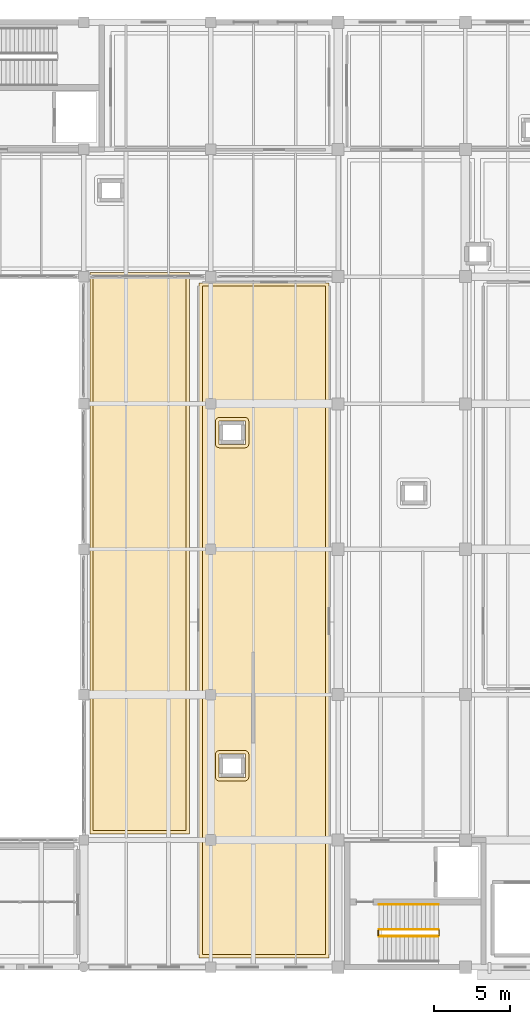
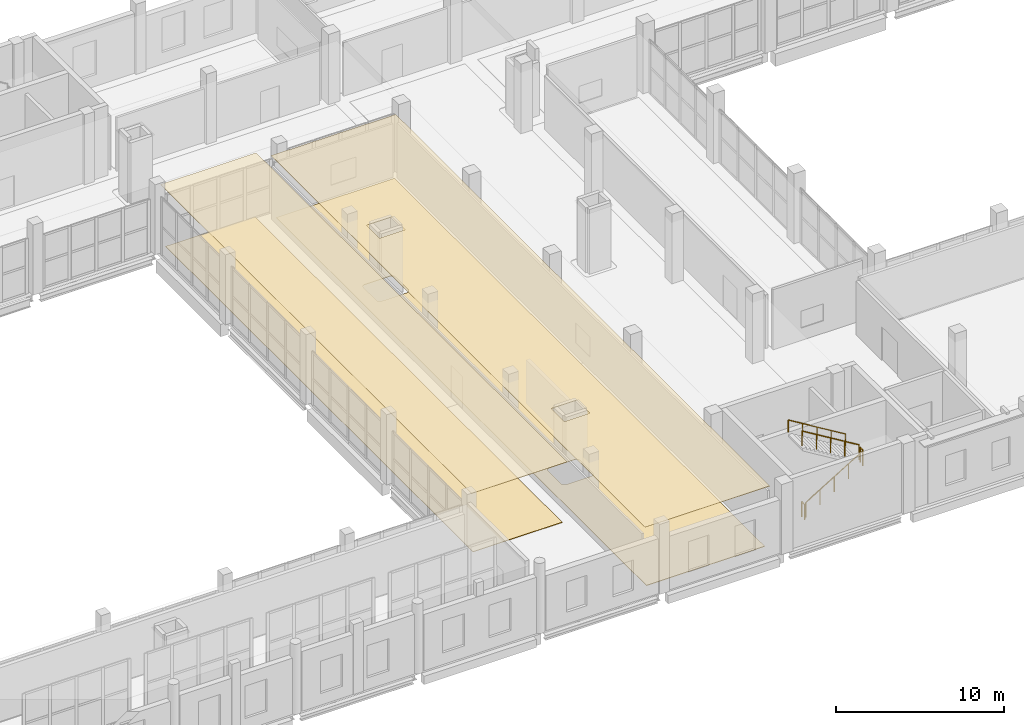
# One storey, part 69 of 73: 5 railings, 4 coverings.
"""IFC4 building model written with IfcOpenShell, lengths in metres."""

from ifc_helpers import new_model, si_unit, direction, frame, origin, origin_2d, place, context, subcontext, project, spatial, polyline, circle, outline, extrude, material, layer, layer_set, type_object, element, save


model = new_model("IFC4")

# Units and contexts
model_context = context("Model", 3, precision=1e-05, world=origin(), true_north=direction((0.0, 1.0)))
body_context = subcontext(model_context, "Body", "Model", "MODEL_VIEW")
ifc_project = project(units=[si_unit("LENGTHUNIT", "METRE"), si_unit("AREAUNIT", "SQUARE_METRE"), si_unit("VOLUMEUNIT", "CUBIC_METRE"), si_unit("PLANEANGLEUNIT", "RADIAN"), si_unit("MASSUNIT", "GRAM", prefix="KILO")], contexts=[model_context])

# Site, building, storey
site_placement = place(None, origin())
site = spatial("IfcSite", under=ifc_project, at=site_placement, CompositionType="ELEMENT")
building_placement = place(site_placement, origin())
building = spatial("IfcBuilding", under=site, at=building_placement, Name="Zulmaris Art Gallery", CompositionType="ELEMENT")
storey_placement = place(building_placement, frame((0.0, 0.0, 10.5)))
storey = spatial("IfcBuildingStorey", under=building, at=storey_placement, Name="L02", CompositionType="ELEMENT", Elevation=10.5)

# Coverings
ifc_material_1 = material(Name="Micro-Perforated Gypsum Acoustic Ceiling", Category="gypsum")
ifc_layer_1 = layer(ifc_material_1, 0.02490234375)
ifc_layer_set_1 = layer_set([ifc_layer_1], Name="Micro-Perforated Gypsum Acoustic Ceiling")
covering_type_1 = type_object("IfcCoveringType", Name="COV-CL01", PredefinedType="CEILING", material=ifc_layer_set_1)
covering_1_placement = place(storey_placement, frame((0.0, 0.0, 4.449951171875)))
element("IfcCovering", 1, at=covering_1_placement, inside=storey, type_object=covering_type_1, Name="L02 East Gallery Concourse acoustic ceiling", PredefinedType="CEILING", context=body_context, shape_type="SweptSolid", body=[
    extrude(outline(polyline([(125.2099609375, 59.090087890625), (131.7900390625, 59.090087890625), (131.7900390625, 22.010009765625), (125.2099609375, 22.010009765625), (125.2099609375, 59.090087890625)])), origin(), (0.0, 0.0, 1.0), 0.030029296875),
])
ifc_material_2 = material(Name="Luminous UV-Diffusing Stretched Gallery Ceiling", Category="gypsum")
ifc_layer_2 = layer(ifc_material_2, 0.034912109375)
ifc_layer_set_2 = layer_set([ifc_layer_2], Name="Luminous UV-Diffusing Stretched Gallery Ceiling")
covering_type_2 = type_object("IfcCoveringType", Name="COV-CL02", PredefinedType="CEILING", material=ifc_layer_set_2)
covering_2_placement = place(storey_placement, frame((0.0, 0.0, 4.449951171875)))
element("IfcCovering", 2, at=covering_2_placement, inside=storey, type_object=covering_type_2, Name="Architectural Models & Drawings Gallery acoustic ceiling", PredefinedType="CEILING", context=body_context, shape_type="SweptSolid", body=[
    extrude(outline(polyline([(132.409912109375, 58.389892578125), (140.989990234375, 58.389892578125), (140.989990234375, 13.81005859375), (132.409912109375, 13.81005859375), (132.409912109375, 58.389892578125)]), holes=[polyline([(133.721435546875, 25.741455078125), (133.722412109375, 25.738525390625), (133.723876953125, 25.736083984375), (133.725341796875, 25.7333984375), (133.72705078125, 25.731201171875), (133.72900390625, 25.72900390625), (133.731201171875, 25.72705078125), (133.7333984375, 25.725341796875), (133.736083984375, 25.723876953125), (133.738525390625, 25.722412109375), (133.741455078125, 25.721435546875), (133.744140625, 25.720703125), (133.7470703125, 25.720458984375), (133.75537109375, 25.719970703125), (135.444580078125, 25.719970703125), (135.452880859375, 25.720458984375), (135.455810546875, 25.720703125), (135.45849609375, 25.721435546875), (135.46142578125, 25.722412109375), (135.464111328125, 25.723876953125), (135.466552734375, 25.725341796875), (135.468994140625, 25.72705078125), (135.470947265625, 25.72900390625), (135.472900390625, 25.731201171875), (135.474609375, 25.7333984375), (135.476318359375, 25.736083984375), (135.4775390625, 25.738525390625), (135.478515625, 25.741455078125), (135.479248046875, 25.744140625), (135.4794921875, 25.7470703125), (135.47998046875, 25.75537109375), (135.47998046875, 27.24462890625), (135.4794921875, 27.2529296875), (135.479248046875, 27.255859375), (135.478515625, 27.258544921875), (135.4775390625, 27.261474609375), (135.476318359375, 27.263916015625), (135.474609375, 27.2666015625), (135.472900390625, 27.268798828125), (135.470947265625, 27.27099609375), (135.468994140625, 27.27294921875), (135.466552734375, 27.274658203125), (135.464111328125, 27.276123046875), (135.46142578125, 27.277587890625), (135.45849609375, 27.278564453125), (135.455810546875, 27.279296875), (135.452880859375, 27.279541015625), (135.444580078125, 27.280029296875), (133.75537109375, 27.280029296875), (133.7470703125, 27.279541015625), (133.744140625, 27.279296875), (133.741455078125, 27.278564453125), (133.738525390625, 27.277587890625), (133.736083984375, 27.276123046875), (133.7333984375, 27.274658203125), (133.731201171875, 27.27294921875), (133.72900390625, 27.27099609375), (133.72705078125, 27.268798828125), (133.725341796875, 27.2666015625), (133.723876953125, 27.263916015625), (133.722412109375, 27.261474609375), (133.721435546875, 27.258544921875), (133.720703125, 27.255859375), (133.720458984375, 27.2529296875), (133.719970703125, 27.24462890625), (133.719970703125, 25.75537109375), (133.720458984375, 25.7470703125), (133.720703125, 25.744140625), (133.721435546875, 25.741455078125)]), polyline([(133.721435546875, 47.741455078125), (133.722412109375, 47.738525390625), (133.723876953125, 47.736083984375), (133.725341796875, 47.7333984375), (133.72705078125, 47.731201171875), (133.72900390625, 47.72900390625), (133.731201171875, 47.72705078125), (133.7333984375, 47.725341796875), (133.736083984375, 47.723876953125), (133.738525390625, 47.722412109375), (133.741455078125, 47.721435546875), (133.744140625, 47.720703125), (133.7470703125, 47.720458984375), (133.75537109375, 47.719970703125), (135.444580078125, 47.719970703125), (135.452880859375, 47.720458984375), (135.455810546875, 47.720703125), (135.45849609375, 47.721435546875), (135.46142578125, 47.722412109375), (135.464111328125, 47.723876953125), (135.466552734375, 47.725341796875), (135.468994140625, 47.72705078125), (135.470947265625, 47.72900390625), (135.472900390625, 47.731201171875), (135.474609375, 47.7333984375), (135.476318359375, 47.736083984375), (135.4775390625, 47.738525390625), (135.478515625, 47.741455078125), (135.479248046875, 47.744140625), (135.4794921875, 47.7470703125), (135.47998046875, 47.75537109375), (135.47998046875, 49.24462890625), (135.4794921875, 49.2529296875), (135.479248046875, 49.255859375), (135.478515625, 49.258544921875), (135.4775390625, 49.261474609375), (135.476318359375, 49.263916015625), (135.474609375, 49.2666015625), (135.472900390625, 49.268798828125), (135.470947265625, 49.27099609375), (135.468994140625, 49.27294921875), (135.466552734375, 49.274658203125), (135.464111328125, 49.276123046875), (135.46142578125, 49.277587890625), (135.45849609375, 49.278564453125), (135.455810546875, 49.279296875), (135.452880859375, 49.279541015625), (135.444580078125, 49.280029296875), (133.75537109375, 49.280029296875), (133.7470703125, 49.279541015625), (133.744140625, 49.279296875), (133.741455078125, 49.278564453125), (133.738525390625, 49.277587890625), (133.736083984375, 49.276123046875), (133.7333984375, 49.274658203125), (133.731201171875, 49.27294921875), (133.72900390625, 49.27099609375), (133.72705078125, 49.268798828125), (133.725341796875, 49.2666015625), (133.723876953125, 49.263916015625), (133.722412109375, 49.261474609375), (133.721435546875, 49.258544921875), (133.720703125, 49.255859375), (133.720458984375, 49.2529296875), (133.719970703125, 49.24462890625), (133.719970703125, 47.75537109375), (133.720458984375, 47.7470703125), (133.720703125, 47.744140625), (133.721435546875, 47.741455078125)])]), origin(), (0.0, 0.0, 1.0), 0.030029296875),
])
ifc_material_3 = material(Name="Honed Omani Limestone Terrazzo Flooring", Category="masonry")
ifc_layer_3 = layer(ifc_material_3, 0.0400390625)
ifc_layer_set_3 = layer_set([ifc_layer_3], Name="Honed Omani Limestone Terrazzo Flooring")
covering_type_3 = type_object("IfcCoveringType", Name="COV-FL01", PredefinedType="FLOORING", material=ifc_layer_set_3)
covering_3_placement = place(storey_placement, origin())
element("IfcCovering", 3, at=covering_3_placement, inside=storey, type_object=covering_type_3, Name="L02 East Gallery Concourse finish flooring", PredefinedType="FLOORING", context=body_context, shape_type="SweptSolid", body=[
    extrude(outline(polyline([(131.570068359375, 22.22998046875), (125.429931640625, 22.22998046875), (125.429931640625, 58.8701171875), (131.570068359375, 58.8701171875), (131.570068359375, 22.22998046875)])), origin(), (0.0, 0.0, 1.0), 0.034912109375),
])
ifc_material_4 = material(Name="Oiled European Oak Gallery Parquet Flooring", Category="timber")
ifc_layer_4 = layer(ifc_material_4, 0.030029296875)
ifc_layer_set_4 = layer_set([ifc_layer_4], Name="Oiled European Oak Gallery Parquet Flooring")
covering_type_4 = type_object("IfcCoveringType", Name="COV-FL02", PredefinedType="FLOORING", material=ifc_layer_set_4)
covering_4_placement = place(storey_placement, origin())
element("IfcCovering", 4, at=covering_4_placement, inside=storey, type_object=covering_type_4, Name="Architectural Models & Drawings Gallery finish flooring", PredefinedType="FLOORING", context=body_context, shape_type="SweptSolid", body=[
    extrude(outline(polyline([(140.77001953125, 14.030029296875), (132.6298828125, 14.030029296875), (132.6298828125, 58.169921875), (140.77001953125, 58.169921875), (140.77001953125, 14.030029296875)]), holes=[polyline([(133.501220703125, 25.7255859375), (133.5048828125, 25.701171875), (133.5107421875, 25.677490234375), (133.51904296875, 25.654296875), (133.529541015625, 25.632080078125), (133.5419921875, 25.611083984375), (133.556640625, 25.59130859375), (133.5732421875, 25.5732421875), (133.59130859375, 25.556640625), (133.611083984375, 25.5419921875), (133.632080078125, 25.529541015625), (133.654296875, 25.51904296875), (133.677490234375, 25.5107421875), (133.701171875, 25.5048828125), (133.7255859375, 25.501220703125), (133.75, 25.5), (135.449951171875, 25.5), (135.474609375, 25.501220703125), (135.498779296875, 25.5048828125), (135.522705078125, 25.5107421875), (135.545654296875, 25.51904296875), (135.56787109375, 25.529541015625), (135.5888671875, 25.5419921875), (135.608642578125, 25.556640625), (135.626708984375, 25.5732421875), (135.643310546875, 25.59130859375), (135.657958984375, 25.611083984375), (135.67041015625, 25.632080078125), (135.680908203125, 25.654296875), (135.689208984375, 25.677490234375), (135.6953125, 25.701171875), (135.69873046875, 25.7255859375), (135.699951171875, 25.75), (135.699951171875, 27.25), (135.69873046875, 27.2744140625), (135.6953125, 27.298828125), (135.689208984375, 27.322509765625), (135.680908203125, 27.345703125), (135.67041015625, 27.367919921875), (135.657958984375, 27.388916015625), (135.643310546875, 27.40869140625), (135.626708984375, 27.4267578125), (135.608642578125, 27.443359375), (135.5888671875, 27.4580078125), (135.56787109375, 27.470458984375), (135.545654296875, 27.48095703125), (135.522705078125, 27.4892578125), (135.498779296875, 27.4951171875), (135.474609375, 27.498779296875), (135.449951171875, 27.5), (133.75, 27.5), (133.7255859375, 27.498779296875), (133.701171875, 27.4951171875), (133.677490234375, 27.4892578125), (133.654296875, 27.48095703125), (133.632080078125, 27.470458984375), (133.611083984375, 27.4580078125), (133.59130859375, 27.443359375), (133.5732421875, 27.4267578125), (133.556640625, 27.40869140625), (133.5419921875, 27.388916015625), (133.529541015625, 27.367919921875), (133.51904296875, 27.345703125), (133.5107421875, 27.322509765625), (133.5048828125, 27.298828125), (133.501220703125, 27.2744140625), (133.5, 27.25), (133.5, 25.75), (133.501220703125, 25.7255859375)]), polyline([(133.501220703125, 47.7255859375), (133.5048828125, 47.701171875), (133.5107421875, 47.677490234375), (133.51904296875, 47.654296875), (133.529541015625, 47.632080078125), (133.5419921875, 47.611083984375), (133.556640625, 47.59130859375), (133.5732421875, 47.5732421875), (133.59130859375, 47.556640625), (133.611083984375, 47.5419921875), (133.632080078125, 47.529541015625), (133.654296875, 47.51904296875), (133.677490234375, 47.5107421875), (133.701171875, 47.5048828125), (133.7255859375, 47.501220703125), (133.75, 47.5), (135.449951171875, 47.5), (135.474609375, 47.501220703125), (135.498779296875, 47.5048828125), (135.522705078125, 47.5107421875), (135.545654296875, 47.51904296875), (135.56787109375, 47.529541015625), (135.5888671875, 47.5419921875), (135.608642578125, 47.556640625), (135.626708984375, 47.5732421875), (135.643310546875, 47.59130859375), (135.657958984375, 47.611083984375), (135.67041015625, 47.632080078125), (135.680908203125, 47.654296875), (135.689208984375, 47.677490234375), (135.6953125, 47.701171875), (135.69873046875, 47.7255859375), (135.699951171875, 47.75), (135.699951171875, 49.25), (135.69873046875, 49.2744140625), (135.6953125, 49.298828125), (135.689208984375, 49.322509765625), (135.680908203125, 49.345703125), (135.67041015625, 49.367919921875), (135.657958984375, 49.388916015625), (135.643310546875, 49.40869140625), (135.626708984375, 49.4267578125), (135.608642578125, 49.443359375), (135.5888671875, 49.4580078125), (135.56787109375, 49.470458984375), (135.545654296875, 49.48095703125), (135.522705078125, 49.4892578125), (135.498779296875, 49.4951171875), (135.474609375, 49.498779296875), (135.449951171875, 49.5), (133.75, 49.5), (133.7255859375, 49.498779296875), (133.701171875, 49.4951171875), (133.677490234375, 49.4892578125), (133.654296875, 49.48095703125), (133.632080078125, 49.470458984375), (133.611083984375, 49.4580078125), (133.59130859375, 49.443359375), (133.5732421875, 49.4267578125), (133.556640625, 49.40869140625), (133.5419921875, 49.388916015625), (133.529541015625, 49.367919921875), (133.51904296875, 49.345703125), (133.5107421875, 49.322509765625), (133.5048828125, 49.298828125), (133.501220703125, 49.2744140625), (133.5, 49.25), (133.5, 47.75), (133.501220703125, 47.7255859375)])]), origin(), (0.0, 0.0, 1.0), 0.034912109375),
])

# Railings
ifc_material_5 = material(Name="Steel S355J2", Category="steel")
ifc_layer_5 = layer(ifc_material_5, 0.050048828125)
ifc_layer_set_5 = layer_set([ifc_layer_5], Name="Steel S355J2")
railing_type_1 = type_object("IfcRailingType", Name="RAIL-STGRD", PredefinedType="GUARDRAIL", material=ifc_layer_set_5)
railing_1_placement = place(storey_placement, frame((144.300048828125, 15.25, 0.169921875)))
element("IfcRailing", 5, at=railing_1_placement, inside=storey, type_object=railing_type_1, Name="L02 ST3 stair guard 1", PredefinedType="GUARDRAIL", context=body_context, shape_type="SweptSolid", body=[
    extrude(circle(Radius=0.02392578125, at=origin_2d()), frame((0.0, 0.0, 1.076171875), z_axis=(0.854770645689, 0.0, 0.519005918337), x_axis=(0.0, 1.0, 0.0)), (0.0, 0.0, 1.0), 4.5859375),
    extrude(circle(Radius=0.02099609375, at=origin_2d()), origin(), (0.0, 0.0, 1.0), 1.052001953125),
    extrude(circle(Radius=0.02099609375, at=origin_2d()), frame((0.97998046875, 0.0, 0.594970703125)), (0.0, 0.0, 1.0), 1.052001953125),
    extrude(circle(Radius=0.02099609375, at=origin_2d()), frame((1.9599609375, 0.0, 1.18994140625)), (0.0, 0.0, 1.0), 1.052001953125),
    extrude(circle(Radius=0.02099609375, at=origin_2d()), frame((2.93994140625, 0.0, 1.78515625)), (0.0, 0.0, 1.0), 1.052001953125),
    extrude(circle(Radius=0.02099609375, at=origin_2d()), frame((3.919921875, 0.0, 2.380126953125)), (0.0, 0.0, 1.0), 1.052001953125),
])
railing_2_placement = place(storey_placement, frame((148.27001953125, 15.300048828125, 2.550048828125)))
element("IfcRailing", 6, at=railing_2_placement, inside=storey, type_object=railing_type_1, Name="L02 ST3 stair guard 2", PredefinedType="GUARDRAIL", context=body_context, shape_type="SweptSolid", body=[
    extrude(circle(Radius=0.02392578125, at=origin_2d()), frame((0.0, 0.0, 1.076171875), z_axis=(0.0, 1.0, 0.0), x_axis=(-1.0, 0.0, 0.0)), (0.0, 0.0, 1.0), 0.33984375),
    extrude(circle(Radius=0.02099609375, at=origin_2d()), origin(), (0.0, 0.0, 1.0), 1.052001953125),
    extrude(circle(Radius=0.02099609375, at=origin_2d()), frame((0.0, 0.33984375, 0.0)), (0.0, 0.0, 1.0), 1.052001953125),
])
railing_3_placement = place(storey_placement, frame((148.219970703125, 15.68994140625, 2.719970703125)))
element("IfcRailing", 7, at=railing_3_placement, inside=storey, type_object=railing_type_1, Name="L02 ST3 stair guard 3", PredefinedType="GUARDRAIL", context=body_context, shape_type="SweptSolid", body=[
    extrude(circle(Radius=0.02392578125, at=origin_2d()), frame((0.0, 0.0, 1.076171875), z_axis=(-0.854770645689, 0.0, 0.519005918337), x_axis=(0.0, -1.0, 0.0)), (0.0, 0.0, 1.0), 4.5859375),
    extrude(circle(Radius=0.02099609375, at=origin_2d()), origin(), (0.0, 0.0, 1.0), 1.052001953125),
    extrude(circle(Radius=0.02099609375, at=origin_2d()), frame((-0.97998046875, 0.0, 0.594970703125)), (0.0, 0.0, 1.0), 1.052001953125),
    extrude(circle(Radius=0.02099609375, at=origin_2d()), frame((-1.9599609375, 0.0, 1.18994140625)), (0.0, 0.0, 1.0), 1.052001953125),
    extrude(circle(Radius=0.02099609375, at=origin_2d()), frame((-2.93994140625, 0.0, 1.78515625)), (0.0, 0.0, 1.0), 1.052001953125),
    extrude(circle(Radius=0.02099609375, at=origin_2d()), frame((-3.919921875, 0.0, 2.380126953125)), (0.0, 0.0, 1.0), 1.052001953125),
])
railing_4_placement = place(storey_placement, frame((144.25, 15.300048828125, 0.0)))
element("IfcRailing", 8, at=railing_4_placement, inside=storey, type_object=railing_type_1, Name="L02 ST3 stair guard 4", PredefinedType="GUARDRAIL", context=body_context, shape_type="SweptSolid", body=[
    extrude(circle(Radius=0.02392578125, at=origin_2d()), frame((0.0, 0.0, 1.076171875), z_axis=(0.0, 1.0, 0.0), x_axis=(-1.0, 0.0, 0.0)), (0.0, 0.0, 1.0), 0.33984375),
    extrude(circle(Radius=0.02099609375, at=origin_2d()), origin(), (0.0, 0.0, 1.0), 1.052001953125),
    extrude(circle(Radius=0.02099609375, at=origin_2d()), frame((0.0, 0.33984375, 0.0)), (0.0, 0.0, 1.0), 1.052001953125),
])
ifc_material_6 = material(Name="Brushed Bronze Handrail", Category="steel")
ifc_layer_6 = layer(ifc_material_6, 0.048095703125)
ifc_layer_set_6 = layer_set([ifc_layer_6], Name="Brushed Bronze Handrail")
railing_type_2 = type_object("IfcRailingType", Name="RAIL-STHND", PredefinedType="HANDRAIL", material=ifc_layer_set_6)
railing_5_placement = place(storey_placement, frame((148.219970703125, 17.340087890625, 2.719970703125)))
element("IfcRailing", 9, at=railing_5_placement, inside=storey, type_object=railing_type_2, Name="L02 ST3 stair handrail 2", PredefinedType="HANDRAIL", context=body_context, shape_type="SweptSolid", body=[
    extrude(circle(Radius=0.02392578125, at=origin_2d()), frame((0.0, 0.0, 0.8759765625), z_axis=(-0.854770645689, 0.0, 0.519005918337), x_axis=(0.0, -1.0, 0.0)), (0.0, 0.0, 1.0), 4.5859375),
    extrude(circle(Radius=0.02099609375, at=origin_2d()), origin(), (0.0, 0.0, 1.0), 0.851806640625),
    extrude(circle(Radius=0.02099609375, at=origin_2d()), frame((-0.97998046875, 0.0, 0.594970703125)), (0.0, 0.0, 1.0), 0.851806640625),
    extrude(circle(Radius=0.02099609375, at=origin_2d()), frame((-1.9599609375, 0.0, 1.18994140625)), (0.0, 0.0, 1.0), 0.851806640625),
    extrude(circle(Radius=0.02099609375, at=origin_2d()), frame((-2.93994140625, 0.0, 1.78515625)), (0.0, 0.0, 1.0), 0.851806640625),
    extrude(circle(Radius=0.02099609375, at=origin_2d()), frame((-3.919921875, 0.0, 2.380126953125)), (0.0, 0.0, 1.0), 0.851806640625),
])

save(model, "model.ifc")
